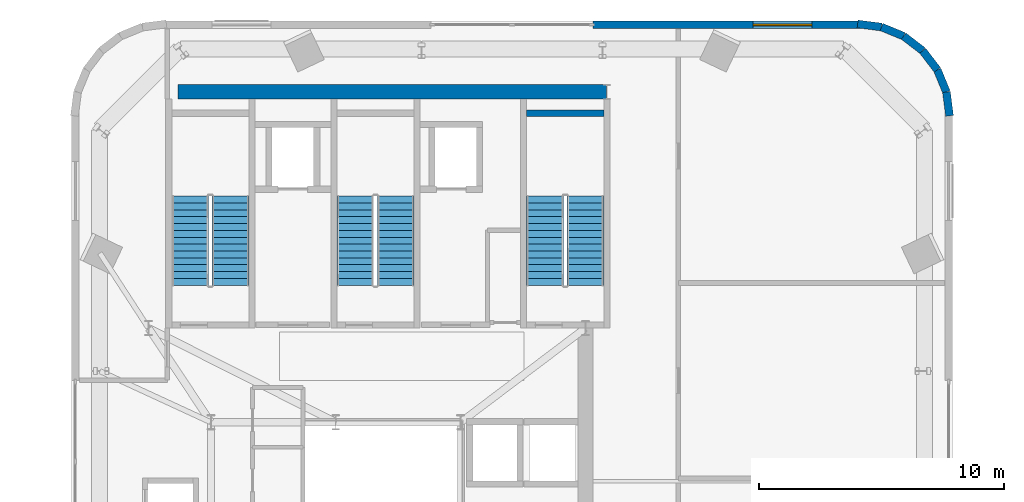
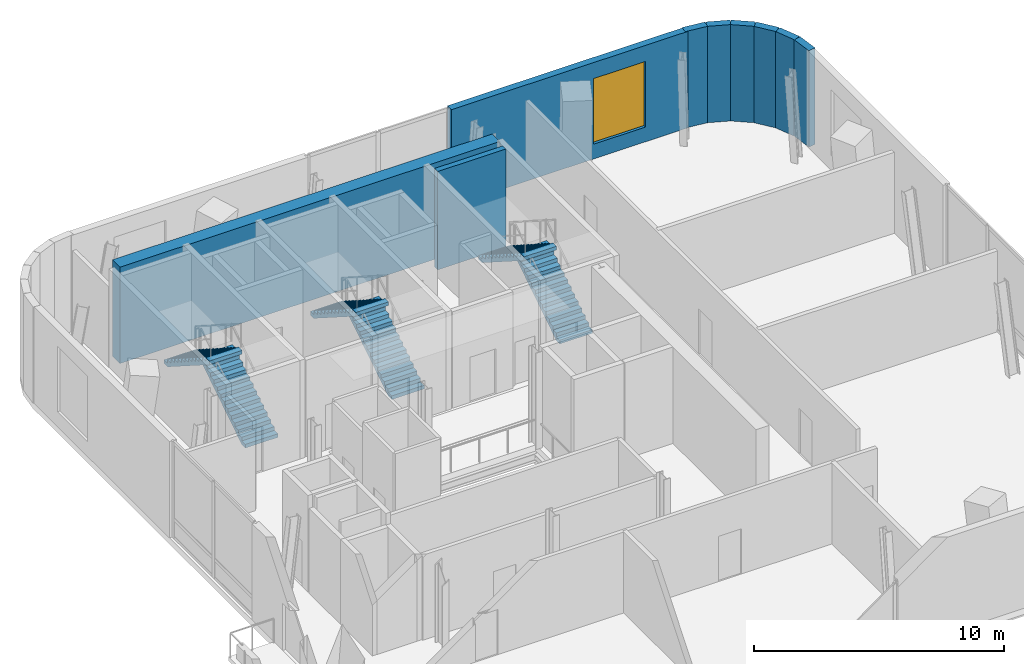
# One storey, part 8 of 11: 9 walls, 6 stair flights, 1 window, 1 opening, 3 elements without a shape of their own.
"""IFC4 building model written with IfcOpenShell, lengths in metres."""

from ifc_helpers import new_model, si_unit, direction, frame, frame_2d, origin, place, context, subcontext, project, spatial, polyline, rectangle, outline, extrude, source, transform, mapped, material, layer, layer_set, type_object, element, fill, aggregate, save


model = new_model("IFC4")

# Units and contexts
model_context = context("Model", 3, precision=1e-05, world=origin(), true_north=direction((0.0, 1.0)))
body_context = subcontext(model_context, "Body", "Model", "MODEL_VIEW")
ifc_project = project(units=[si_unit("LENGTHUNIT", "METRE"), si_unit("AREAUNIT", "SQUARE_METRE"), si_unit("VOLUMEUNIT", "CUBIC_METRE"), si_unit("PLANEANGLEUNIT", "RADIAN"), si_unit("MASSUNIT", "GRAM", prefix="KILO")], contexts=[model_context])

# Site, building, storey
site_placement = place(None, origin())
site = spatial("IfcSite", under=ifc_project, at=site_placement, CompositionType="ELEMENT")
building_placement = place(site_placement, origin())
building = spatial("IfcBuilding", under=site, at=building_placement, Name="Vardaveli Station Tower", CompositionType="ELEMENT")
storey_placement = place(building_placement, frame((0.0, 0.0, 296.14990234375)))
storey = spatial("IfcBuildingStorey", under=building, at=storey_placement, Name="L75", CompositionType="ELEMENT", Elevation=296.14990234375)

# Wall
ifc_material_1 = material(Name="Concrete C50/60", Category="concrete")
ifc_layer_1 = layer(ifc_material_1, 0.60009765625, Name="Concrete C50/60")
ifc_layer_set_1 = layer_set([ifc_layer_1], Name="Concrete C50/60")
wall_type_1 = type_object("IfcWallType", Name="WAL-CORE-600", PredefinedType="SHEAR", material=ifc_layer_set_1)
shared_shape_1 = source(origin(), body_context, "Body", "SweptSolid", [
    extrude(rectangle(XDim=17.52001953125, YDim=0.60009765625, at=frame_2d((8.760009765625, 0.0))), origin(), (0.0, 0.0, 1.0), 4.7001953125),
])
wall_1_placement = place(storey_placement, frame((29.85009765625, 40.300048828125, 0.0), z_axis=(0.0, 0.0, 1.0), x_axis=(1.0, 0.0, 0.0)))
element("IfcWall", 1, at=wall_1_placement, inside=storey, type_object=wall_type_1, Name="SW-L75-NORTH", PredefinedType="SHEAR", context=body_context, shape_type="MappedRepresentation", body=[
    mapped(shared_shape_1, transform((0.0, 0.0, 0.0), scale=1.0)),
])

# Wall, opening, window
ifc_material_2 = material(Name="Precast concrete C45/55", Category="concrete")
ifc_layer_2 = layer(ifc_material_2, 0.320068359375, Name="Precast concrete C45/55")
ifc_layer_set_2 = layer_set([ifc_layer_2], Name="Precast concrete C45/55")
wall_type_2 = type_object("IfcWallType", Name="WAL-EXT-STONE-320", PredefinedType="SOLIDWALL", material=ifc_layer_set_2)
shared_shape_2 = source(origin(), body_context, "Body", "SweptSolid", [
    extrude(rectangle(XDim=10.919921875, YDim=0.320068359375, at=frame_2d((5.4599609375, 0.0))), origin(), (0.0, 0.0, 1.0), 4.7001953125),
])
wall_2_placement = place(storey_placement, frame((57.719970703125, 43.0400390625, 0.0), z_axis=(0.0, 0.0, 1.0), x_axis=(-1.0, 0.0, 0.0)))
wall_2 = element("IfcWall", 2, at=wall_2_placement, inside=storey, type_object=wall_type_2, Name="EW-L75-N1", PredefinedType="SOLIDWALL", context=body_context, shape_type="MappedRepresentation", body=[
    mapped(shared_shape_2, transform((0.0, 0.0, 0.0), scale=1.0)),
])
shared_shape_3 = source(origin(), body_context, "Body", "SweptSolid", [
    extrude(rectangle(XDim=2.39990234375, YDim=3.199951171875, at=frame_2d((1.199951171875, 1.60009765625))), frame((0.0, 0.169921875, 0.0), z_axis=(0.0, -1.0, 0.0), x_axis=(1.0, 0.0, 0.0)), (0.0, 0.0, 1.0), 0.340087890625),
])
opening_placement = place(wall_2_placement, frame((1.968994140625, 0.0, 0.719970703125)))
opening = element("IfcOpeningElement", 3, at=opening_placement, cuts=wall_2, Name="Opening W-06", PredefinedType="OPENING", context=body_context, shape_type="MappedRepresentation", body=[
    mapped(shared_shape_3, transform((0.0, 0.0, 0.0), scale=1.0)),
])
ifc_material_3 = material(Name="Low-iron tempered belvedere glass", Category="glass")
window_type = type_object("IfcWindowType", Name="WIN-OBS-2400x3200", PartitioningType="SINGLE_PANEL", PredefinedType="WINDOW", material=ifc_material_3)
shared_shape_4 = source(origin(), body_context, "Body", "SweptSolid", [
    extrude(rectangle(XDim=2.39990234375, YDim=3.199951171875, at=frame_2d((1.199951171875, 1.60009765625))), frame((0.0, 0.030029296875, 0.0), z_axis=(0.0, -1.0, 0.0), x_axis=(1.0, 0.0, 0.0)), (0.0, 0.0, 1.0), 0.06005859375),
])
window_placement = place(opening_placement, origin())
window = element("IfcWindow", 4, at=window_placement, inside=storey, type_object=window_type, Name="WN-L75-N1", OverallHeight=3.199951171875, OverallWidth=2.39990234375, PartitioningType="SINGLE_PANEL", PredefinedType="WINDOW", context=body_context, shape_type="MappedRepresentation", body=[
    mapped(shared_shape_4, transform((0.0, 0.0, 0.0), scale=1.0)),
])
fill(opening, window)

# Walls
shared_shape_5 = source(origin(), body_context, "Body", "SweptSolid", [
    extrude(rectangle(XDim=0.98193359375, YDim=0.320068359375, at=frame_2d((0.490966796875, 0.0))), origin(), (0.0, 0.0, 1.0), 4.7001953125),
])
for number, where, z_axis, x_axis, name in (
    (5, (61.37451171875, 39.32080078125, 0.0), (0.0, 0.0, 1.0), (-0.127553190833, 0.991831731449, 0.0), "EW-L75-CR3-1"),
    (6, (58.5947265625, 42.94921875, 0.0), (0.0, 0.0, 1.0), (-0.991831731449, 0.127553190833, 0.0), "EW-L75-CR3-6"),
):
    element("IfcWall", number, at=place(storey_placement, frame(where, z_axis=z_axis, x_axis=x_axis)), inside=storey, type_object=wall_type_2, Name=name, PredefinedType="SOLIDWALL", context=body_context, shape_type="MappedRepresentation", body=[
        mapped(shared_shape_5, transform((0.0, 0.0, 0.0), scale=1.0)),
    ])
shared_shape_6 = source(origin(), body_context, "Body", "SweptSolid", [
    extrude(rectangle(XDim=0.980712890625, YDim=0.320068359375, at=frame_2d((0.490234375, 0.0))), origin(), (0.0, 0.0, 1.0), 4.7001953125),
])
for number, where, z_axis, x_axis, name in (
    (7, (61.249267578125, 40.294677734375, 0.0), (0.0, 0.0, 1.0), (-0.38059956414, 0.924739948189, 0.0), "EW-L75-CR3-2"),
    (8, (59.501708984375, 42.575927734375, 0.0), (0.0, 0.0, 1.0), (-0.924739948189, 0.38059956414, 0.0), "EW-L75-CR3-5"),
):
    element("IfcWall", number, at=place(storey_placement, frame(where, z_axis=z_axis, x_axis=x_axis)), inside=storey, type_object=wall_type_2, Name=name, PredefinedType="SOLIDWALL", context=body_context, shape_type="MappedRepresentation", body=[
        mapped(shared_shape_6, transform((0.0, 0.0, 0.0), scale=1.0)),
    ])
shared_shape_7 = source(origin(), body_context, "Body", "SweptSolid", [
    extrude(rectangle(XDim=0.980224609375, YDim=0.320068359375, at=frame_2d((0.490234375, 0.0))), origin(), (0.0, 0.0, 1.0), 4.7001953125),
])
for number, where, z_axis, x_axis, name in (
    (9, (60.8759765625, 41.20166015625, 0.0), (0.0, 0.0, 1.0), (-0.608217140662, 0.793770690946, 0.0), "EW-L75-CR3-3"),
    (10, (60.27978515625, 41.979736328125, 0.0), (0.0, 0.0, 1.0), (-0.793770690946, 0.608217140662, 0.0), "EW-L75-CR3-4"),
):
    element("IfcWall", number, at=place(storey_placement, frame(where, z_axis=z_axis, x_axis=x_axis)), inside=storey, type_object=wall_type_2, Name=name, PredefinedType="SOLIDWALL", context=body_context, shape_type="MappedRepresentation", body=[
        mapped(shared_shape_7, transform((0.0, 0.0, 0.0), scale=1.0)),
    ])
ifc_material_4 = material(Name="Concrete C40/50", Category="concrete")
ifc_layer_3 = layer(ifc_material_4, 0.25, Name="Concrete C40/50")
ifc_layer_set_3 = layer_set([ifc_layer_3], Name="Concrete C40/50")
wall_type_3 = type_object("IfcWallType", Name="WAL-SHAFT-250", PredefinedType="SOLIDWALL", material=ifc_layer_set_3)
shared_shape_8 = source(origin(), body_context, "Body", "SweptSolid", [
    extrude(rectangle(XDim=3.14990234375, YDim=0.25, at=frame_2d((1.574951171875, 0.0))), origin(), (0.0, 0.0, 1.0), 4.800048828125),
])
wall_3_placement = place(storey_placement, frame((44.10009765625, 39.425048828125, 0.0), z_axis=(0.0, 0.0, 1.0), x_axis=(1.0, 0.0, 0.0)))
element("IfcWall", 11, at=wall_3_placement, inside=storey, type_object=wall_type_3, Name="W-L75-ST-3N", PredefinedType="SOLIDWALL", context=body_context, shape_type="MappedRepresentation", body=[
    mapped(shared_shape_8, transform((0.0, 0.0, 0.0), scale=1.0)),
])

# Stair, stair flights
stair_type = type_object("IfcStairType", Name="STR-CORE-1500", PredefinedType="HALF_TURN_STAIR", material=ifc_material_4)
stair_1_placement = place(storey_placement, origin())
stair_1 = element("IfcStair", 12, at=stair_1_placement, inside=storey, type_object=stair_type, Name="L75 ST-1", PredefinedType="HALF_TURN_STAIR")
stair_flight_type = type_object("IfcStairFlightType", Name="SFL-CORE-1500", PredefinedType="STRAIGHT", material=ifc_material_4)
shared_shape_9 = source(origin(), body_context, "Body", "SweptSolid", [
    extrude(outline(polyline([(0.0, 0.0), (0.0, 0.178466796875), (0.280029296875, 0.178466796875), (0.280029296875, 0.357177734375), (0.56005859375, 0.357177734375), (0.56005859375, 0.53564453125), (0.840087890625, 0.53564453125), (0.840087890625, 0.71435546875), (1.1201171875, 0.71435546875), (1.1201171875, 0.892822265625), (1.39990234375, 0.892822265625), (1.39990234375, 1.071533203125), (1.679931640625, 1.071533203125), (1.679931640625, 1.25), (1.9599609375, 1.25), (1.9599609375, 1.428466796875), (2.239990234375, 1.428466796875), (2.239990234375, 1.607177734375), (2.52001953125, 1.607177734375), (2.52001953125, 1.78564453125), (2.800048828125, 1.78564453125), (2.800048828125, 1.96435546875), (3.080078125, 1.96435546875), (3.080078125, 2.142822265625), (3.360107421875, 2.142822265625), (3.360107421875, 2.321533203125), (3.639892578125, 2.321533203125), (3.639892578125, 2.5), (3.639892578125, 2.1435546875), (0.27880859375, 0.0), (0.0, 0.0)])), frame((0.0, 0.75, 0.0), z_axis=(0.0, -1.0, 0.0), x_axis=(1.0, 0.0, 0.0)), (0.0, 0.0, 1.0), 1.5),
])
stair_flight_1_placement = place(storey_placement, frame((32.0, 32.39990234375, 0.0), z_axis=(0.0, 0.0, 1.0), x_axis=(0.0, 1.0, 0.0)))
stair_flight_1 = element("IfcStairFlight", 13, at=stair_flight_1_placement, type_object=stair_flight_type, Name="ST-1 flight 1", NumberOfRisers=14, NumberOfTreads=13, PredefinedType="STRAIGHT", RiserHeight=0.178571429, TreadLength=0.28, context=body_context, shape_type="MappedRepresentation", body=[
    mapped(shared_shape_9, transform((0.0, 0.0, 0.0), scale=1.0)),
])
stair_flight_2_placement = place(storey_placement, frame((30.35009765625, 36.0400390625, 2.5), z_axis=(0.0, 0.0, 1.0), x_axis=(0.0, -1.0, 0.0)))
stair_flight_2 = element("IfcStairFlight", 14, at=stair_flight_2_placement, type_object=stair_flight_type, Name="ST-1 flight 2", NumberOfRisers=14, NumberOfTreads=13, PredefinedType="STRAIGHT", RiserHeight=0.178571429, TreadLength=0.28, context=body_context, shape_type="MappedRepresentation", body=[
    mapped(shared_shape_9, transform((0.0, 0.0, 0.0), scale=1.0)),
])
aggregate(stair_1, [stair_flight_1, stair_flight_2])

stair_2_placement = place(storey_placement, origin())
stair_2 = element("IfcStair", 15, at=stair_2_placement, inside=storey, type_object=stair_type, Name="L75 ST-2", PredefinedType="HALF_TURN_STAIR")
stair_flight_3_placement = place(storey_placement, frame((38.75, 32.39990234375, 0.0), z_axis=(0.0, 0.0, 1.0), x_axis=(0.0, 1.0, 0.0)))
stair_flight_3 = element("IfcStairFlight", 16, at=stair_flight_3_placement, type_object=stair_flight_type, Name="ST-2 flight 1", NumberOfRisers=14, NumberOfTreads=13, PredefinedType="STRAIGHT", RiserHeight=0.178571429, TreadLength=0.28, context=body_context, shape_type="MappedRepresentation", body=[
    mapped(shared_shape_9, transform((0.0, 0.0, 0.0), scale=1.0)),
])
stair_flight_4_placement = place(storey_placement, frame((37.10009765625, 36.0400390625, 2.5), z_axis=(0.0, 0.0, 1.0), x_axis=(0.0, -1.0, 0.0)))
stair_flight_4 = element("IfcStairFlight", 17, at=stair_flight_4_placement, type_object=stair_flight_type, Name="ST-2 flight 2", NumberOfRisers=14, NumberOfTreads=13, PredefinedType="STRAIGHT", RiserHeight=0.178571429, TreadLength=0.28, context=body_context, shape_type="MappedRepresentation", body=[
    mapped(shared_shape_9, transform((0.0, 0.0, 0.0), scale=1.0)),
])
aggregate(stair_2, [stair_flight_3, stair_flight_4])

stair_3_placement = place(storey_placement, origin())
stair_3 = element("IfcStair", 18, at=stair_3_placement, inside=storey, type_object=stair_type, Name="L75 ST-3", PredefinedType="HALF_TURN_STAIR")
stair_flight_5_placement = place(storey_placement, frame((46.5, 32.39990234375, 0.0), z_axis=(0.0, 0.0, 1.0), x_axis=(0.0, 1.0, 0.0)))
stair_flight_5 = element("IfcStairFlight", 19, at=stair_flight_5_placement, type_object=stair_flight_type, Name="ST-3 flight 1", NumberOfRisers=14, NumberOfTreads=13, PredefinedType="STRAIGHT", RiserHeight=0.178571429, TreadLength=0.28, context=body_context, shape_type="MappedRepresentation", body=[
    mapped(shared_shape_9, transform((0.0, 0.0, 0.0), scale=1.0)),
])
stair_flight_6_placement = place(storey_placement, frame((44.85009765625, 36.0400390625, 2.5), z_axis=(0.0, 0.0, 1.0), x_axis=(0.0, -1.0, 0.0)))
stair_flight_6 = element("IfcStairFlight", 20, at=stair_flight_6_placement, type_object=stair_flight_type, Name="ST-3 flight 2", NumberOfRisers=14, NumberOfTreads=13, PredefinedType="STRAIGHT", RiserHeight=0.178571429, TreadLength=0.28, context=body_context, shape_type="MappedRepresentation", body=[
    mapped(shared_shape_9, transform((0.0, 0.0, 0.0), scale=1.0)),
])
aggregate(stair_3, [stair_flight_5, stair_flight_6])

save(model, "model.ifc")
